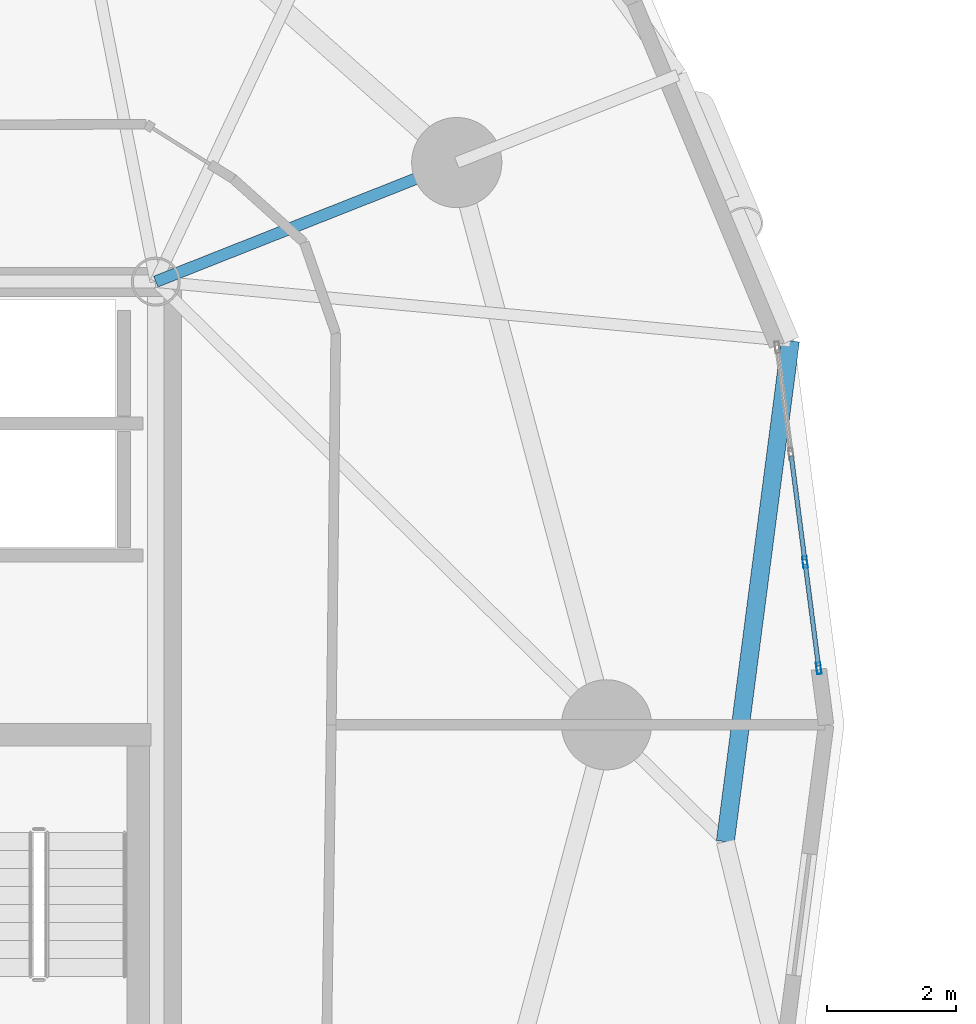
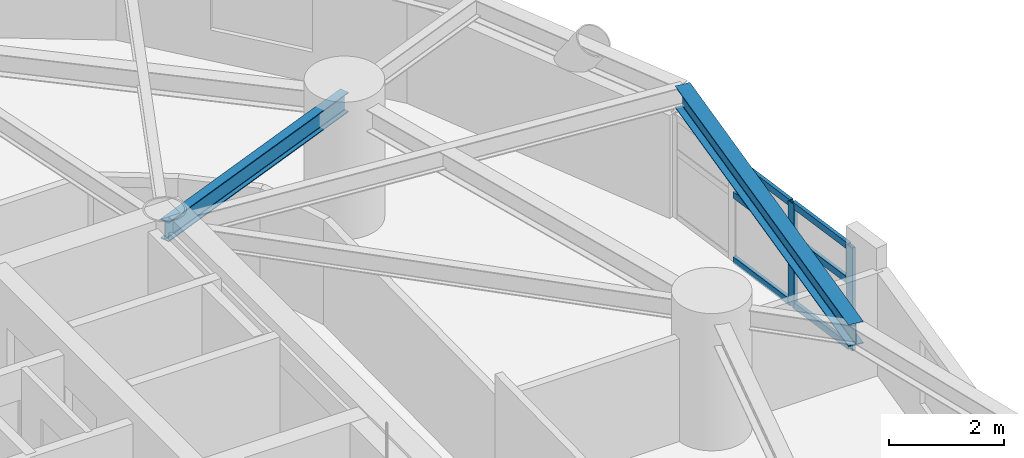
# One storey, part 2 of 17: 8 members, 2 beams, 1 element without a shape of its own.
"""IFC4 building model written with IfcOpenShell, lengths in metres."""

import ifcopenshell
import ifcopenshell.guid

model = None  # the IFC model being written
_history = None  # IfcOwnerHistory: only IFC2X3 demands one
_inside = {}  # id of a spatial element -> (the spatial element, [elements in it])
_under = {}  # id of a project, library or spatial element -> (it, [spatial elements below it])
_declared = {}  # id of a project -> (the project, [libraries it declares])
_typed = {}  # id of a type object -> (the type object, [elements of that type])
_made_of = {}  # id of a material, layer set ... -> (it, [elements and type objects made of it])


def new_model(schema):
    """Start an empty IFC model of exactly this schema.

    Asked for "IFC4X3", IfcOpenShell would pick the latest addendum, in which some entities
    have other attributes; the version numbers below select the first issue.
    IFC2X3 requires an IfcOwnerHistory on every rooted entity: one is made here for all.
    """
    global model, _history
    if schema == "IFC4X3":
        model = ifcopenshell.file(schema_version=(4, 3, 0, 0))
    else:
        model = ifcopenshell.file(schema=schema)
    _inside.clear()
    _under.clear()
    _declared.clear()
    _typed.clear()
    _made_of.clear()
    _history = None
    if model.schema == "IFC2X3":
        org = make("IfcOrganization", Name="unknown")
        user = make(
            "IfcPersonAndOrganization",
            ThePerson=make("IfcPerson", FamilyName="unknown"),
            TheOrganization=org,
        )
        app = make(
            "IfcApplication",
            ApplicationDeveloper=org,
            Version="unknown",
            ApplicationFullName="unknown",
            ApplicationIdentifier="unknown",
        )
        _history = make(
            "IfcOwnerHistory",
            OwningUser=user,
            OwningApplication=app,
            ChangeAction="ADDED",
            CreationDate=0,
        )
    return model


def make(cls, **values):
    """One entity of the class cls with the attributes given. An attribute that is None is left unset."""
    return model.create_entity(
        cls, **{name: value for name, value in values.items() if value is not None}
    )


def rooted(cls, **values):
    """An entity with a GlobalId (a new one), such as an element, a storey or a relation."""
    return make(cls, GlobalId=ifcopenshell.guid.new(), OwnerHistory=_history, **values)


def si_unit(unit_type, name, prefix=None):
    """IfcSIUnit, for example si_unit("LENGTHUNIT", "METRE", prefix="MILLI")."""
    return make("IfcSIUnit", UnitType=unit_type, Prefix=prefix, Name=name)


def assignment(units):
    """IfcUnitAssignment: the units of a project."""
    return None if units is None else make("IfcUnitAssignment", Units=units)


def point(xyz):
    """IfcCartesianPoint."""
    return None if xyz is None else make("IfcCartesianPoint", Coordinates=xyz)


def direction(xyz):
    """IfcDirection."""
    return None if xyz is None else make("IfcDirection", DirectionRatios=xyz)


def frame(location, z_axis=None, x_axis=None):
    """IfcAxis2Placement3D, a coordinate frame: its origin and axes. An axis left out is left unset."""
    return make(
        "IfcAxis2Placement3D",
        Location=point(location),
        Axis=direction(z_axis),
        RefDirection=direction(x_axis),
    )


def frame_2d(location, x_axis=None):
    """IfcAxis2Placement2D, a coordinate frame in the plane: its origin and x axis."""
    return make(
        "IfcAxis2Placement2D", Location=point(location), RefDirection=direction(x_axis)
    )


def origin():
    """The frame at (0, 0, 0) with its axes left unset."""
    return frame((0.0, 0.0, 0.0))


def origin_2d():
    """The frame at (0, 0) in the plane with its x axis left unset."""
    return frame_2d((0.0, 0.0))


def place(relative_to, where):
    """IfcLocalPlacement: puts the frame where relative to a parent placement (None: the world)."""
    return make(
        "IfcLocalPlacement", PlacementRelTo=relative_to, RelativePlacement=where
    )


def context(
    kind, dimensions, precision=None, world=None, true_north=None, identifier=None
):
    """IfcGeometricRepresentationContext, for example the 3D "Model" context."""
    return make(
        "IfcGeometricRepresentationContext",
        ContextIdentifier=identifier,
        ContextType=kind,
        CoordinateSpaceDimension=dimensions,
        Precision=precision,
        WorldCoordinateSystem=world,
        TrueNorth=true_north,
    )


def subcontext(parent, identifier, kind, view, scale=None):
    """IfcGeometricRepresentationSubContext, for example "Body" below "Model"."""
    return make(
        "IfcGeometricRepresentationSubContext",
        ContextIdentifier=identifier,
        ContextType=kind,
        ParentContext=parent,
        TargetScale=scale,
        TargetView=view,
    )


def project(units=None, contexts=None):
    """IfcProject with its units and contexts."""
    return rooted(
        "IfcProject",
        Name="project",
        RepresentationContexts=contexts,
        UnitsInContext=assignment(units),
    )


def spatial(cls, under=None, at=None, **own):
    """A site, building, storey or space (cls), placed at a placement, below another one or the project."""
    s = rooted(cls, ObjectPlacement=at, **own)
    if under is not None:
        _under.setdefault(under.id(), (under, []))[1].append(s)
    return s


def profile(cls, at=None, kind="AREA", **sizes):
    """A parametric profile (cls). Its sizes go by their IFC names, for example OverallWidth=200.0."""
    return make(cls, ProfileType=kind, Position=at, **sizes)


def hollow_rectangle(**sizes):
    """IfcRectangleHollowProfileDef."""
    return profile("IfcRectangleHollowProfileDef", **sizes)


def i_section(**sizes):
    """IfcIShapeProfileDef."""
    return profile("IfcIShapeProfileDef", **sizes)


def extrude(swept, where, along, depth):
    """IfcExtrudedAreaSolid: the profile swept, set in the frame where, extruded along a direction by depth."""
    return make(
        "IfcExtrudedAreaSolid",
        SweptArea=swept,
        Position=where,
        ExtrudedDirection=direction(along),
        Depth=depth,
    )


def shape(context_of_items, identifier, shape_type, items):
    """IfcShapeRepresentation: the items that make up one representation, for example the "Body"."""
    return make(
        "IfcShapeRepresentation",
        ContextOfItems=context_of_items,
        RepresentationIdentifier=identifier,
        RepresentationType=shape_type,
        Items=items,
    )


def material(Name=None, Category=None):
    """IfcMaterial."""
    return make("IfcMaterial", Name=Name, Category=Category)


def layer(
    of_material, thickness, ventilated=None, Name=None, Category=None, Priority=None
):
    """IfcMaterialLayer: one layer of a wall or slab, of a material (None: an air gap)."""
    return make(
        "IfcMaterialLayer",
        Material=of_material,
        LayerThickness=thickness,
        IsVentilated=ventilated,
        Name=Name,
        Category=Category,
        Priority=Priority,
    )


def layer_set(layers, Name=None):
    """IfcMaterialLayerSet."""
    return make("IfcMaterialLayerSet", MaterialLayers=layers, LayerSetName=Name)


def material_profile(
    of_material, cross_section, Name=None, Category=None, Priority=None
):
    """IfcMaterialProfile: a cross section and its material."""
    return make(
        "IfcMaterialProfile",
        Name=Name,
        Material=of_material,
        Profile=cross_section,
        Priority=Priority,
        Category=Category,
    )


def profile_set(profiles, Name=None, composite=None):
    """IfcMaterialProfileSet."""
    return make(
        "IfcMaterialProfileSet",
        Name=Name,
        MaterialProfiles=profiles,
        CompositeProfile=composite,
    )


def made_of(thing, what):
    """Note that an element or type object is made of a material, layer set ...; save() writes the relation."""
    if what is not None:
        _made_of.setdefault(what.id(), (what, []))[1].append(thing)
    return thing


def type_object(cls, material=None, **own):
    """A type object (cls), such as IfcWallType, which elements share."""
    return made_of(rooted(cls, **own), material)


def element(
    cls,
    number,
    at=None,
    inside=None,
    cuts=None,
    type_object=None,
    material=None,
    context=None,
    identifier="Body",
    shape_type=None,
    held_by="IfcProductDefinitionShape",
    body=None,
    shapes=None,
    **own,
):
    """One element of the class cls, such as IfcWall. Its Tag is "e" and its number.

    at: its placement. inside: the storey or other place that contains it. cuts: it is an
    opening in that element (IfcRelVoidsElement). A single representation is given by context,
    identifier, shape_type and body (its items); several are given by shapes. held_by: the class
    of the entity that holds the representations. save() writes the other relations.
    """
    e = rooted(cls, Tag="e%d" % number, ObjectPlacement=at, **own)
    if body is not None:
        shapes = [shape(context, identifier, shape_type, body)]
    if shapes is not None:
        e.Representation = make(held_by, Representations=shapes)
    if inside is not None:
        _inside.setdefault(inside.id(), (inside, []))[1].append(e)
    if cuts is not None:
        rooted(
            "IfcRelVoidsElement", RelatingBuildingElement=cuts, RelatedOpeningElement=e
        )
    if type_object is not None:
        _typed.setdefault(type_object.id(), (type_object, []))[1].append(e)
    return made_of(e, material)


def aggregate(whole, parts):
    """IfcRelAggregates: a whole, such as a stair, and the parts it consists of."""
    return rooted("IfcRelAggregates", RelatingObject=whole, RelatedObjects=parts)


def save(model, path):
    """Write the relations noted so far, then the file.

    IfcRelAggregates (storeys below a building ...), IfcRelContainedInSpatialStructure (elements
    in a storey), IfcRelDefinesByType, IfcRelAssociatesMaterial and IfcRelDeclares: one each for
    every whole, place, type object, material and project.
    """
    for whole, parts in _under.values():
        aggregate(whole, parts)
    for where, things in _inside.values():
        rooted(
            "IfcRelContainedInSpatialStructure",
            RelatedElements=things,
            RelatingStructure=where,
        )
    for kind, things in _typed.values():
        rooted("IfcRelDefinesByType", RelatedObjects=things, RelatingType=kind)
    for what, things in _made_of.values():
        rooted("IfcRelAssociatesMaterial", RelatedObjects=things, RelatingMaterial=what)
    for by, libraries in _declared.values():
        rooted("IfcRelDeclares", RelatingContext=by, RelatedDefinitions=libraries)
    model.write(path)


model = new_model("IFC4")

# Units and contexts
model_context = context("Model", 3, precision=1e-05, world=origin(), true_north=direction((0.0, 1.0)))
body_context = subcontext(model_context, "Body", "Model", "MODEL_VIEW")
ifc_project = project(units=[si_unit("LENGTHUNIT", "METRE"), si_unit("AREAUNIT", "SQUARE_METRE"), si_unit("VOLUMEUNIT", "CUBIC_METRE"), si_unit("PLANEANGLEUNIT", "RADIAN"), si_unit("MASSUNIT", "GRAM", prefix="KILO")], contexts=[model_context])

# Site, building, storey
site_placement = place(None, origin())
site = spatial("IfcSite", under=ifc_project, at=site_placement, CompositionType="ELEMENT")
building_placement = place(site_placement, origin())
building = spatial("IfcBuilding", under=site, at=building_placement, Name="Cununo Teusaquillo Station Towers", CompositionType="ELEMENT")
storey_placement = place(building_placement, frame((0.0, 0.0, 70.14990234375)))
storey = spatial("IfcBuildingStorey", under=building, at=storey_placement, Name="L21", CompositionType="ELEMENT", Elevation=70.14990234375)

# Beams
ifc_material_1 = material(Name="Steel ASTM A572 Grade 50", Category="steel")
ifc_material_profile_1 = material_profile(ifc_material_1, i_section(OverallWidth=0.180908203125, OverallDepth=0.4169921875, WebThickness=0.010986328125, FlangeThickness=0.018310546875, FilletRadius=0.012939453125, at=origin_2d()), Name="W16X57")
ifc_profile_set_1 = profile_set([ifc_material_profile_1], Name="Steel ASTM A572 Grade 50")
beam_type_1 = type_object("IfcBeamType", Name="BM-RAD-G2", PredefinedType="BEAM", material=ifc_profile_set_1)
beam_1_placement = place(storey_placement, frame((21.675048828125, 31.3798828125, 2.461669921875), z_axis=(0.929864104313, 0.367903176814, 0.0), x_axis=(-0.367903176814, 0.929864104313, 0.0)))
element("IfcBeam", 1, at=beam_1_placement, inside=storey, type_object=beam_type_1, Name="L21 Tower A Radial Girder 02A", PredefinedType="BEAM", context=body_context, shape_type="SweptSolid", body=[
    extrude(i_section(OverallWidth=0.180908203125, OverallDepth=0.4169921875, WebThickness=0.010986328125, FlangeThickness=0.018310546875, FilletRadius=0.012939453125, at=origin_2d()), origin(), (0.0, 0.0, 1.0), 5.02490234375),
])
ifc_material_2 = material(Name="Steel ASTM A572 Grade 50", Category="steel")
ifc_material_profile_2 = material_profile(ifc_material_2, i_section(OverallWidth=0.280029296875, OverallDepth=0.462890625, WebThickness=0.0107421875, FlangeThickness=0.017333984375, FilletRadius=0.013916015625, at=origin_2d()), Name="W18X76")
ifc_profile_set_2 = profile_set([ifc_material_profile_2], Name="Steel ASTM A572 Grade 50")
beam_type_2 = type_object("IfcBeamType", Name="BM-RING-Z2", PredefinedType="SPANDREL", material=ifc_profile_set_2)
beam_2_placement = place(storey_placement, frame((30.51708984375, 22.685791015625, 2.4384765625), z_axis=(0.12888124113, 0.991660035337, 0.0), x_axis=(-0.991660035337, 0.12888124113, 0.0)))
element("IfcBeam", 2, at=beam_2_placement, inside=storey, type_object=beam_type_2, Name="L21 Tower A Spandrel Ring Beam 01", PredefinedType="SPANDREL", context=body_context, shape_type="SweptSolid", body=[
    extrude(i_section(OverallWidth=0.280029296875, OverallDepth=0.462890625, WebThickness=0.0107421875, FlangeThickness=0.017333984375, FilletRadius=0.013916015625, at=origin_2d()), origin(), (0.0, 0.0, 1.0), 7.840576171875),
])

# Curtain wall, members
ifc_material_3 = material(Name="Ceramic-fritted dark low-E double glazing", Category="glass")
ifc_layer = layer(ifc_material_3, 0.179931640625)
ifc_layer_set = layer_set([ifc_layer], Name="Ceramic-fritted dark low-E double glazing")
curtain_wall_type = type_object("IfcCurtainWallType", Name="CW-SYS-04", PredefinedType="USERDEFINED", material=ifc_layer_set)
curtain_wall_placement = place(storey_placement, origin())
curtain_wall = element("IfcCurtainWall", 3, at=curtain_wall_placement, inside=storey, type_object=curtain_wall_type, Name="L21 Tower A Facade Curtain Wall C00", ObjectType="FRITTED GLAZING", PredefinedType="USERDEFINED")
ifc_material_4 = material(Name="Anodised dark bronze aluminium EN AW-6063-T6", Category="aluminium")
ifc_material_profile_3 = material_profile(ifc_material_4, hollow_rectangle(XDim=0.070068359375, YDim=0.179931640625, WallThickness=0.00390625, at=origin_2d()), Name="CW-MULL-70x180")
ifc_profile_set_3 = profile_set([ifc_material_profile_3], Name="Anodised dark bronze aluminium EN AW-6063-T6")
member_type_1 = type_object("IfcMemberType", Name="CWM-180", PredefinedType="MULLION", material=ifc_profile_set_3)
member_1_placement = place(storey_placement, frame((31.754150390625, 27.0263671875, 0.0), z_axis=(0.0, 0.0, 1.0), x_axis=(0.991730764367, 0.128335852387, 0.0)))
member_1 = element("IfcMember", 4, at=member_1_placement, type_object=member_type_1, Name="CW-04 mullion 3", PredefinedType="MULLION", context=body_context, shape_type="SweptSolid", body=[
    extrude(hollow_rectangle(XDim=0.070068359375, YDim=0.179931640625, WallThickness=0.00390625, at=origin_2d()), origin(), (0.0, 0.0, 1.0), 2.17919921875),
])
member_2_placement = place(storey_placement, frame((31.967529296875, 25.377685546875, 0.0), z_axis=(0.0, 0.0, 1.0), x_axis=(0.991730764367, 0.128335852387, 0.0)))
member_2 = element("IfcMember", 5, at=member_2_placement, type_object=member_type_1, Name="CW-04 mullion 4", PredefinedType="MULLION", context=body_context, shape_type="SweptSolid", body=[
    extrude(hollow_rectangle(XDim=0.070068359375, YDim=0.179931640625, WallThickness=0.00390625, at=origin_2d()), origin(), (0.0, 0.0, 1.0), 2.17919921875),
])
ifc_material_5 = material(Name="Anodised dark bronze aluminium EN AW-6063-T6", Category="aluminium")
ifc_material_profile_4 = material_profile(ifc_material_5, hollow_rectangle(XDim=0.070068359375, YDim=0.139892578125, WallThickness=0.00390625, at=origin_2d()), Name="CW-TRAN-70x140")
ifc_profile_set_4 = profile_set([ifc_material_profile_4], Name="Anodised dark bronze aluminium EN AW-6063-T6")
member_type_2 = type_object("IfcMemberType", Name="CWT-140", PredefinedType="USERDEFINED", material=ifc_profile_set_4)
member_3_placement = place(storey_placement, frame((31.540771484375, 28.675048828125, 0.03515625), z_axis=(0.128261686134, -0.991740359101, 0.0), x_axis=(0.991740359101, 0.128261686134, 0.0)))
member_3 = element("IfcMember", 6, at=member_3_placement, type_object=member_type_2, Name="CW-04 transom 2.1", ObjectType="TRANSOM", PredefinedType="USERDEFINED", context=body_context, shape_type="SweptSolid", body=[
    extrude(hollow_rectangle(XDim=0.070068359375, YDim=0.139892578125, WallThickness=0.00390625, at=origin_2d()), origin(), (0.0, 0.0, 1.0), 1.62744140625),
])
member_4_placement = place(storey_placement, frame((31.540771484375, 28.675048828125, 1.416015625), z_axis=(0.128261686134, -0.991740359101, 0.0), x_axis=(0.991740359101, 0.128261686134, 0.0)))
member_4 = element("IfcMember", 7, at=member_4_placement, type_object=member_type_2, Name="CW-04 transom 2.2", ObjectType="TRANSOM", PredefinedType="USERDEFINED", context=body_context, shape_type="SweptSolid", body=[
    extrude(hollow_rectangle(XDim=0.070068359375, YDim=0.139892578125, WallThickness=0.00390625, at=origin_2d()), origin(), (0.0, 0.0, 1.0), 1.62744140625),
])
member_5_placement = place(storey_placement, frame((31.540771484375, 28.675048828125, 2.14404296875), z_axis=(0.128261686134, -0.991740359101, 0.0), x_axis=(0.991740359101, 0.128261686134, 0.0)))
member_5 = element("IfcMember", 8, at=member_5_placement, type_object=member_type_2, Name="CW-04 transom 2.3", ObjectType="TRANSOM", PredefinedType="USERDEFINED", context=body_context, shape_type="SweptSolid", body=[
    extrude(hollow_rectangle(XDim=0.070068359375, YDim=0.139892578125, WallThickness=0.00390625, at=origin_2d()), origin(), (0.0, 0.0, 1.0), 1.62744140625),
])
member_6_placement = place(storey_placement, frame((31.758544921875, 26.99169921875, 0.03515625), z_axis=(0.128316698748, -0.991733242774, 0.0), x_axis=(0.991733242774, 0.128316698748, 0.0)))
member_6 = element("IfcMember", 9, at=member_6_placement, type_object=member_type_2, Name="CW-04 transom 3.1", ObjectType="TRANSOM", PredefinedType="USERDEFINED", context=body_context, shape_type="SweptSolid", body=[
    extrude(hollow_rectangle(XDim=0.070068359375, YDim=0.139892578125, WallThickness=0.00390625, at=origin_2d()), origin(), (0.0, 0.0, 1.0), 1.592529296875),
])
member_7_placement = place(storey_placement, frame((31.758544921875, 26.99169921875, 1.416015625), z_axis=(0.128316698748, -0.991733242774, 0.0), x_axis=(0.991733242774, 0.128316698748, 0.0)))
member_7 = element("IfcMember", 10, at=member_7_placement, type_object=member_type_2, Name="CW-04 transom 3.2", ObjectType="TRANSOM", PredefinedType="USERDEFINED", context=body_context, shape_type="SweptSolid", body=[
    extrude(hollow_rectangle(XDim=0.070068359375, YDim=0.139892578125, WallThickness=0.00390625, at=origin_2d()), origin(), (0.0, 0.0, 1.0), 1.592529296875),
])
member_8_placement = place(storey_placement, frame((31.758544921875, 26.99169921875, 2.14404296875), z_axis=(0.128316698748, -0.991733242774, 0.0), x_axis=(0.991733242774, 0.128316698748, 0.0)))
member_8 = element("IfcMember", 11, at=member_8_placement, type_object=member_type_2, Name="CW-04 transom 3.3", ObjectType="TRANSOM", PredefinedType="USERDEFINED", context=body_context, shape_type="SweptSolid", body=[
    extrude(hollow_rectangle(XDim=0.070068359375, YDim=0.139892578125, WallThickness=0.00390625, at=origin_2d()), origin(), (0.0, 0.0, 1.0), 1.592529296875),
])
aggregate(curtain_wall, [member_1, member_2, member_3, member_4, member_5, member_6, member_7, member_8])

save(model, "model.ifc")
